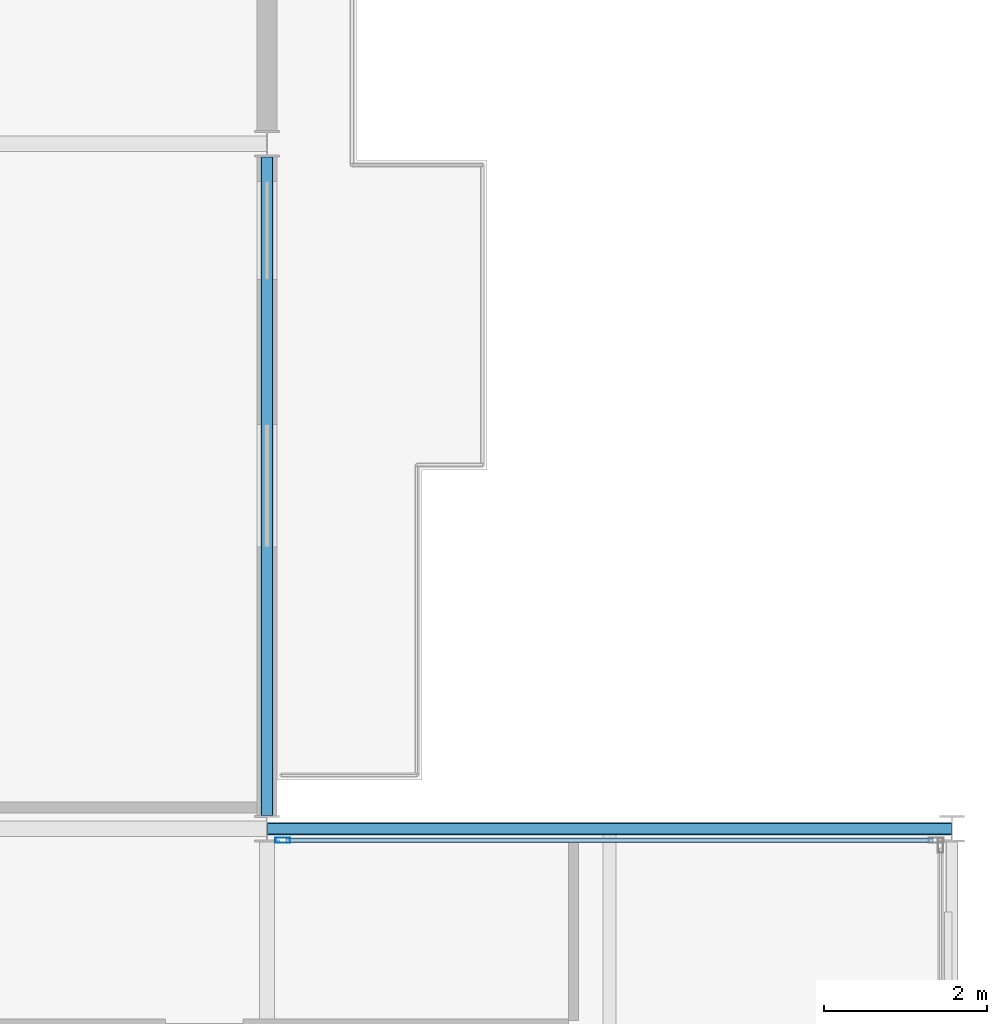
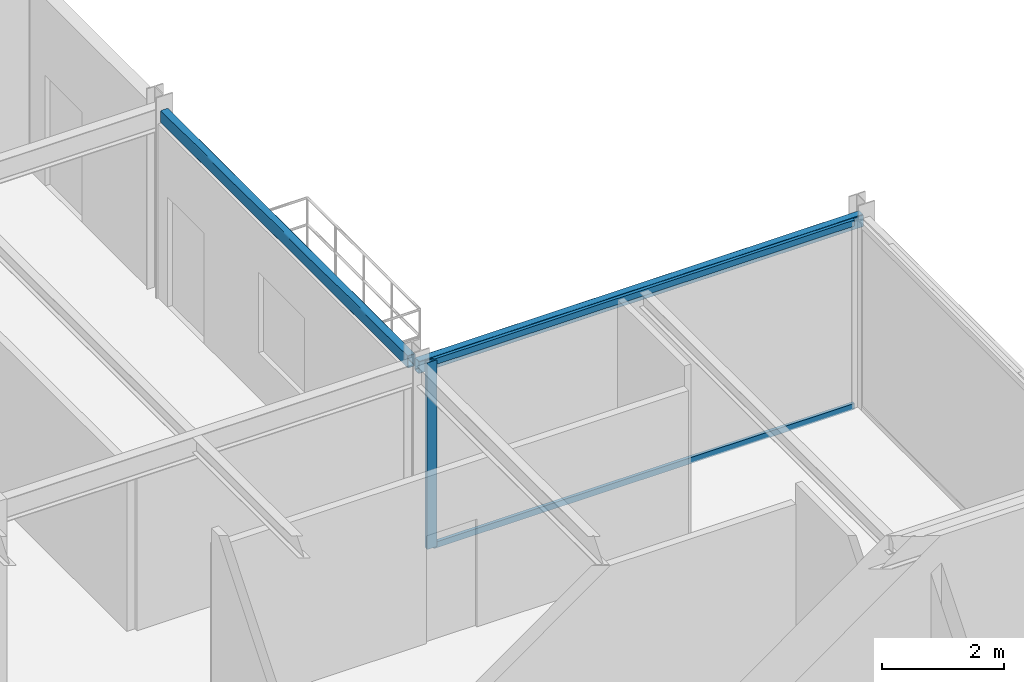
# One storey, part 13 of 24: 3 members, 2 beams, 1 element without a shape of its own.
"""IFC4 building model written with IfcOpenShell, lengths in metres."""

from ifc_helpers import new_model, si_unit, direction, frame, origin, origin_2d, place, context, subcontext, project, spatial, hollow_rectangle, extrude, material, layer, layer_set, material_profile, profile_set, type_object, element, aggregate, save


model = new_model("IFC4")

# Units and contexts
model_context = context("Model", 3, precision=1e-05, world=origin(), true_north=direction((0.0, 1.0)))
body_context = subcontext(model_context, "Body", "Model", "MODEL_VIEW")
ifc_project = project(units=[si_unit("LENGTHUNIT", "METRE"), si_unit("AREAUNIT", "SQUARE_METRE"), si_unit("VOLUMEUNIT", "CUBIC_METRE"), si_unit("PLANEANGLEUNIT", "RADIAN"), si_unit("MASSUNIT", "GRAM", prefix="KILO")], contexts=[model_context])

# Site, building, storey
site_placement = place(None, origin())
site = spatial("IfcSite", under=ifc_project, at=site_placement, CompositionType="ELEMENT")
building_placement = place(site_placement, origin())
building = spatial("IfcBuilding", under=site, at=building_placement, Name="Nerrivon Quay Data Exchange", CompositionType="ELEMENT")
storey_placement = place(building_placement, frame((0.0, 0.0, 306.199951171875)))
storey = spatial("IfcBuildingStorey", under=building, at=storey_placement, Name="L73", CompositionType="ELEMENT", Elevation=306.199951171875)

# Beams
ifc_material_1 = material(Name="Steel Grade C350L0 (350 MPa)", Category="steel")
ifc_material_profile_1 = material_profile(ifc_material_1, hollow_rectangle(XDim=0.14990234375, YDim=0.25, WallThickness=0.009033203125, InnerFilletRadius=0.013427734375, OuterFilletRadius=0.0224609375, at=origin_2d()), Name="250x150x9.0RHS")
ifc_profile_set_1 = profile_set([ifc_material_profile_1], Name="Steel Grade C350L0 (350 MPa)")
beam_type = type_object("IfcBeamType", Name="BM-SP4-250x150RHS", PredefinedType="SPANDREL", material=ifc_profile_set_1)
beam_1_placement = place(storey_placement, frame((25.2080078125, 25.199951171875, 3.60009765625), z_axis=(1.0, 0.0, 0.0), x_axis=(0.0, 1.0, 0.0)))
element("IfcBeam", 1, at=beam_1_placement, inside=storey, type_object=beam_type, Name="L73 EW Girder Y=25.2 (25.2..33.6)", PredefinedType="SPANDREL", context=body_context, shape_type="SweptSolid", body=[
    extrude(hollow_rectangle(XDim=0.14990234375, YDim=0.25, WallThickness=0.009033203125, InnerFilletRadius=0.013427734375, OuterFilletRadius=0.0224609375, at=origin_2d()), origin(), (0.0, 0.0, 1.0), 8.38427734375),
])
beam_2_placement = place(storey_placement, frame((25.199951171875, 25.363525390625, 3.60009765625), z_axis=(0.0, 1.0, 0.0), x_axis=(-1.0, 0.0, 0.0)))
element("IfcBeam", 2, at=beam_2_placement, inside=storey, type_object=beam_type, Name="L73 NS Girder X=25.2 (25.2..33.6)", PredefinedType="SPANDREL", context=body_context, shape_type="SweptSolid", body=[
    extrude(hollow_rectangle(XDim=0.14990234375, YDim=0.25, WallThickness=0.009033203125, InnerFilletRadius=0.013427734375, OuterFilletRadius=0.0224609375, at=origin_2d()), origin(), (0.0, 0.0, 1.0), 8.072998046875),
])

# Curtain wall, members
ifc_material_2 = material(Name="Anodised aluminium 6063-T6", Category="aluminium")
ifc_layer = layer(ifc_material_2, 0.195068359375)
ifc_layer_set = layer_set([ifc_layer], Name="Anodised aluminium 6063-T6")
curtain_wall_type = type_object("IfcCurtainWallType", Name="CW-SYS-06", PredefinedType="NOTDEFINED", material=ifc_layer_set)
curtain_wall_placement = place(storey_placement, origin())
curtain_wall = element("IfcCurtainWall", 3, at=curtain_wall_placement, inside=storey, type_object=curtain_wall_type, Name="L73 Unitised Curtain Wall 21", PredefinedType="NOTDEFINED")
ifc_material_profile_2 = material_profile(ifc_material_2, hollow_rectangle(XDim=0.06494140625, YDim=0.179931640625, WallThickness=0.00341796875, at=origin_2d()), Name="ALU-MULL-180x65")
ifc_profile_set_2 = profile_set([ifc_material_profile_2], Name="Anodised aluminium 6063-T6")
member_type_1 = type_object("IfcMemberType", Name="CWM-180x65", PredefinedType="MULLION", material=ifc_profile_set_2)
member_1_placement = place(storey_placement, frame((25.39306640625, 25.06005859375, 0.0), z_axis=(0.0, 0.0, 1.0), x_axis=(0.0, 1.0, 0.0)))
member_1 = element("IfcMember", 4, at=member_1_placement, type_object=member_type_1, Name="CW06 mullion 1", PredefinedType="MULLION", context=body_context, shape_type="SweptSolid", body=[
    extrude(hollow_rectangle(XDim=0.06494140625, YDim=0.179931640625, WallThickness=0.00341796875, at=origin_2d()), origin(), (0.0, 0.0, 1.0), 3.72509765625),
])
ifc_material_profile_3 = material_profile(ifc_material_2, hollow_rectangle(XDim=0.06005859375, YDim=0.1201171875, WallThickness=0.003173828125, at=origin_2d()), Name="ALU-TRAN-120x60")
ifc_profile_set_3 = profile_set([ifc_material_profile_3], Name="Anodised aluminium 6063-T6")
member_type_2 = type_object("IfcMemberType", Name="CWT-120x60", PredefinedType="USERDEFINED", material=ifc_profile_set_3)
member_2_placement = place(storey_placement, frame((25.430419921875, 25.06005859375, 0.032470703125), z_axis=(1.0, 0.0, 0.0), x_axis=(0.0, 1.0, 0.0)))
member_2 = element("IfcMember", 5, at=member_2_placement, type_object=member_type_2, Name="CW06 transom 1.1", ObjectType="TRANSOM", PredefinedType="USERDEFINED", context=body_context, shape_type="SweptSolid", body=[
    extrude(hollow_rectangle(XDim=0.06005859375, YDim=0.1201171875, WallThickness=0.003173828125, at=origin_2d()), origin(), (0.0, 0.0, 1.0), 7.93896484375),
])
member_3_placement = place(storey_placement, frame((25.430419921875, 25.06005859375, 3.692626953125), z_axis=(1.0, 0.0, 0.0), x_axis=(0.0, 1.0, 0.0)))
member_3 = element("IfcMember", 6, at=member_3_placement, type_object=member_type_2, Name="CW06 transom 1.2", ObjectType="TRANSOM", PredefinedType="USERDEFINED", context=body_context, shape_type="SweptSolid", body=[
    extrude(hollow_rectangle(XDim=0.06005859375, YDim=0.1201171875, WallThickness=0.003173828125, at=origin_2d()), origin(), (0.0, 0.0, 1.0), 7.93896484375),
])
aggregate(curtain_wall, [member_1, member_2, member_3])

save(model, "model.ifc")
